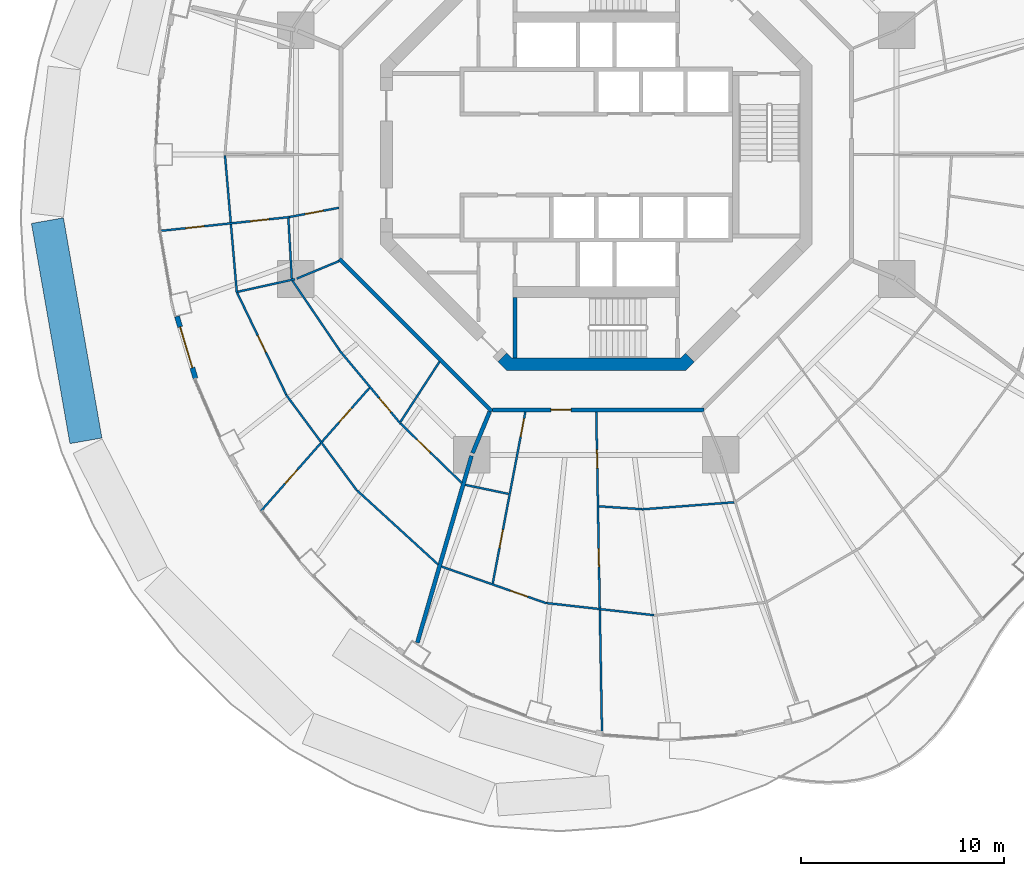
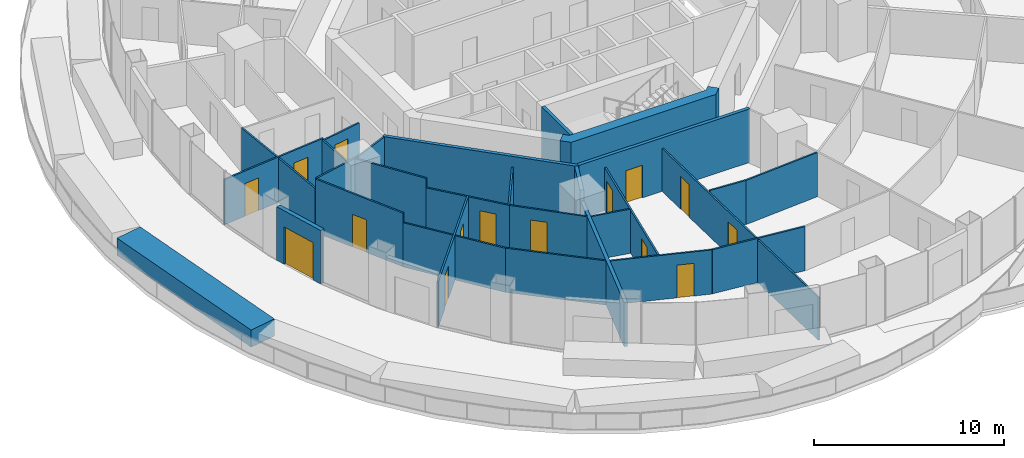
# One storey, part 12 of 20: 29 walls, 15 doors, 15 openings.
"""IFC4 building model written with IfcOpenShell, lengths in metres."""

import ifcopenshell
import ifcopenshell.guid

model = None  # the IFC model being written
_history = None  # IfcOwnerHistory: only IFC2X3 demands one
_inside = {}  # id of a spatial element -> (the spatial element, [elements in it])
_under = {}  # id of a project, library or spatial element -> (it, [spatial elements below it])
_declared = {}  # id of a project -> (the project, [libraries it declares])
_typed = {}  # id of a type object -> (the type object, [elements of that type])
_made_of = {}  # id of a material, layer set ... -> (it, [elements and type objects made of it])


def new_model(schema):
    """Start an empty IFC model of exactly this schema.

    Asked for "IFC4X3", IfcOpenShell would pick the latest addendum, in which some entities
    have other attributes; the version numbers below select the first issue.
    IFC2X3 requires an IfcOwnerHistory on every rooted entity: one is made here for all.
    """
    global model, _history
    if schema == "IFC4X3":
        model = ifcopenshell.file(schema_version=(4, 3, 0, 0))
    else:
        model = ifcopenshell.file(schema=schema)
    _inside.clear()
    _under.clear()
    _declared.clear()
    _typed.clear()
    _made_of.clear()
    _history = None
    if model.schema == "IFC2X3":
        org = make("IfcOrganization", Name="unknown")
        user = make(
            "IfcPersonAndOrganization",
            ThePerson=make("IfcPerson", FamilyName="unknown"),
            TheOrganization=org,
        )
        app = make(
            "IfcApplication",
            ApplicationDeveloper=org,
            Version="unknown",
            ApplicationFullName="unknown",
            ApplicationIdentifier="unknown",
        )
        _history = make(
            "IfcOwnerHistory",
            OwningUser=user,
            OwningApplication=app,
            ChangeAction="ADDED",
            CreationDate=0,
        )
    return model


def make(cls, **values):
    """One entity of the class cls with the attributes given. An attribute that is None is left unset."""
    return model.create_entity(
        cls, **{name: value for name, value in values.items() if value is not None}
    )


def rooted(cls, **values):
    """An entity with a GlobalId (a new one), such as an element, a storey or a relation."""
    return make(cls, GlobalId=ifcopenshell.guid.new(), OwnerHistory=_history, **values)


def si_unit(unit_type, name, prefix=None):
    """IfcSIUnit, for example si_unit("LENGTHUNIT", "METRE", prefix="MILLI")."""
    return make("IfcSIUnit", UnitType=unit_type, Prefix=prefix, Name=name)


def assignment(units):
    """IfcUnitAssignment: the units of a project."""
    return None if units is None else make("IfcUnitAssignment", Units=units)


def point(xyz):
    """IfcCartesianPoint."""
    return None if xyz is None else make("IfcCartesianPoint", Coordinates=xyz)


def direction(xyz):
    """IfcDirection."""
    return None if xyz is None else make("IfcDirection", DirectionRatios=xyz)


def frame(location, z_axis=None, x_axis=None):
    """IfcAxis2Placement3D, a coordinate frame: its origin and axes. An axis left out is left unset."""
    return make(
        "IfcAxis2Placement3D",
        Location=point(location),
        Axis=direction(z_axis),
        RefDirection=direction(x_axis),
    )


def frame_2d(location, x_axis=None):
    """IfcAxis2Placement2D, a coordinate frame in the plane: its origin and x axis."""
    return make(
        "IfcAxis2Placement2D", Location=point(location), RefDirection=direction(x_axis)
    )


def origin():
    """The frame at (0, 0, 0) with its axes left unset."""
    return frame((0.0, 0.0, 0.0))


def place(relative_to, where):
    """IfcLocalPlacement: puts the frame where relative to a parent placement (None: the world)."""
    return make(
        "IfcLocalPlacement", PlacementRelTo=relative_to, RelativePlacement=where
    )


def context(
    kind, dimensions, precision=None, world=None, true_north=None, identifier=None
):
    """IfcGeometricRepresentationContext, for example the 3D "Model" context."""
    return make(
        "IfcGeometricRepresentationContext",
        ContextIdentifier=identifier,
        ContextType=kind,
        CoordinateSpaceDimension=dimensions,
        Precision=precision,
        WorldCoordinateSystem=world,
        TrueNorth=true_north,
    )


def subcontext(parent, identifier, kind, view, scale=None):
    """IfcGeometricRepresentationSubContext, for example "Body" below "Model"."""
    return make(
        "IfcGeometricRepresentationSubContext",
        ContextIdentifier=identifier,
        ContextType=kind,
        ParentContext=parent,
        TargetScale=scale,
        TargetView=view,
    )


def project(units=None, contexts=None):
    """IfcProject with its units and contexts."""
    return rooted(
        "IfcProject",
        Name="project",
        RepresentationContexts=contexts,
        UnitsInContext=assignment(units),
    )


def spatial(cls, under=None, at=None, **own):
    """A site, building, storey or space (cls), placed at a placement, below another one or the project."""
    s = rooted(cls, ObjectPlacement=at, **own)
    if under is not None:
        _under.setdefault(under.id(), (under, []))[1].append(s)
    return s


def polyline(points):
    """IfcPolyline through the points."""
    return make("IfcPolyline", Points=[point(p) for p in points])


def profile(cls, at=None, kind="AREA", **sizes):
    """A parametric profile (cls). Its sizes go by their IFC names, for example OverallWidth=200.0."""
    return make(cls, ProfileType=kind, Position=at, **sizes)


def rectangle(**sizes):
    """IfcRectangleProfileDef."""
    return profile("IfcRectangleProfileDef", **sizes)


def outline(outer, holes=None, kind="AREA"):
    """IfcArbitraryClosedProfileDef: a profile drawn as a closed curve; with holes, ...WithVoids."""
    if holes is None:
        return make("IfcArbitraryClosedProfileDef", ProfileType=kind, OuterCurve=outer)
    return make(
        "IfcArbitraryProfileDefWithVoids",
        ProfileType=kind,
        OuterCurve=outer,
        InnerCurves=holes,
    )


def extrude(swept, where, along, depth):
    """IfcExtrudedAreaSolid: the profile swept, set in the frame where, extruded along a direction by depth."""
    return make(
        "IfcExtrudedAreaSolid",
        SweptArea=swept,
        Position=where,
        ExtrudedDirection=direction(along),
        Depth=depth,
    )


def shape(context_of_items, identifier, shape_type, items):
    """IfcShapeRepresentation: the items that make up one representation, for example the "Body"."""
    return make(
        "IfcShapeRepresentation",
        ContextOfItems=context_of_items,
        RepresentationIdentifier=identifier,
        RepresentationType=shape_type,
        Items=items,
    )


def material(Name=None, Category=None):
    """IfcMaterial."""
    return make("IfcMaterial", Name=Name, Category=Category)


def layer(
    of_material, thickness, ventilated=None, Name=None, Category=None, Priority=None
):
    """IfcMaterialLayer: one layer of a wall or slab, of a material (None: an air gap)."""
    return make(
        "IfcMaterialLayer",
        Material=of_material,
        LayerThickness=thickness,
        IsVentilated=ventilated,
        Name=Name,
        Category=Category,
        Priority=Priority,
    )


def layer_set(layers, Name=None):
    """IfcMaterialLayerSet."""
    return make("IfcMaterialLayerSet", MaterialLayers=layers, LayerSetName=Name)


def made_of(thing, what):
    """Note that an element or type object is made of a material, layer set ...; save() writes the relation."""
    if what is not None:
        _made_of.setdefault(what.id(), (what, []))[1].append(thing)
    return thing


def type_object(cls, material=None, **own):
    """A type object (cls), such as IfcWallType, which elements share."""
    return made_of(rooted(cls, **own), material)


def element(
    cls,
    number,
    at=None,
    inside=None,
    cuts=None,
    type_object=None,
    material=None,
    context=None,
    identifier="Body",
    shape_type=None,
    held_by="IfcProductDefinitionShape",
    body=None,
    shapes=None,
    **own,
):
    """One element of the class cls, such as IfcWall. Its Tag is "e" and its number.

    at: its placement. inside: the storey or other place that contains it. cuts: it is an
    opening in that element (IfcRelVoidsElement). A single representation is given by context,
    identifier, shape_type and body (its items); several are given by shapes. held_by: the class
    of the entity that holds the representations. save() writes the other relations.
    """
    e = rooted(cls, Tag="e%d" % number, ObjectPlacement=at, **own)
    if body is not None:
        shapes = [shape(context, identifier, shape_type, body)]
    if shapes is not None:
        e.Representation = make(held_by, Representations=shapes)
    if inside is not None:
        _inside.setdefault(inside.id(), (inside, []))[1].append(e)
    if cuts is not None:
        rooted(
            "IfcRelVoidsElement", RelatingBuildingElement=cuts, RelatedOpeningElement=e
        )
    if type_object is not None:
        _typed.setdefault(type_object.id(), (type_object, []))[1].append(e)
    return made_of(e, material)


def fill(opening, filler):
    """IfcRelFillsElement: the door or window that sits in an opening."""
    return rooted(
        "IfcRelFillsElement",
        RelatingOpeningElement=opening,
        RelatedBuildingElement=filler,
    )


def aggregate(whole, parts):
    """IfcRelAggregates: a whole, such as a stair, and the parts it consists of."""
    return rooted("IfcRelAggregates", RelatingObject=whole, RelatedObjects=parts)


def save(model, path):
    """Write the relations noted so far, then the file.

    IfcRelAggregates (storeys below a building ...), IfcRelContainedInSpatialStructure (elements
    in a storey), IfcRelDefinesByType, IfcRelAssociatesMaterial and IfcRelDeclares: one each for
    every whole, place, type object, material and project.
    """
    for whole, parts in _under.values():
        aggregate(whole, parts)
    for where, things in _inside.values():
        rooted(
            "IfcRelContainedInSpatialStructure",
            RelatedElements=things,
            RelatingStructure=where,
        )
    for kind, things in _typed.values():
        rooted("IfcRelDefinesByType", RelatedObjects=things, RelatingType=kind)
    for what, things in _made_of.values():
        rooted("IfcRelAssociatesMaterial", RelatedObjects=things, RelatingMaterial=what)
    for by, libraries in _declared.values():
        rooted("IfcRelDeclares", RelatingContext=by, RelatedDefinitions=libraries)
    model.write(path)


model = new_model("IFC4")

# Units and contexts
model_context = context("Model", 3, precision=1e-05, world=origin(), true_north=direction((0.0, 1.0)))
body_context = subcontext(model_context, "Body", "Model", "MODEL_VIEW")
ifc_project = project(units=[si_unit("LENGTHUNIT", "METRE"), si_unit("AREAUNIT", "SQUARE_METRE"), si_unit("VOLUMEUNIT", "CUBIC_METRE"), si_unit("PLANEANGLEUNIT", "RADIAN"), si_unit("MASSUNIT", "GRAM", prefix="KILO")], contexts=[model_context])

# Site, building, storey
site_placement = place(None, origin())
site = spatial("IfcSite", under=ifc_project, at=site_placement, CompositionType="ELEMENT")
building_placement = place(site_placement, origin())
building = spatial("IfcBuilding", under=site, at=building_placement, Name="Nagisa Residences", CompositionType="ELEMENT")
storey_placement = place(building_placement, frame((0.0, 0.0, 165.89990234375)))
storey = spatial("IfcBuildingStorey", under=building, at=storey_placement, Name="L41", CompositionType="ELEMENT", Elevation=165.89990234375)

# Walls
ifc_material_1 = material(Name="Gypsum board on steel studs", Category="steel")
ifc_layer_1 = layer(ifc_material_1, 0.199951171875)
ifc_layer_set_1 = layer_set([ifc_layer_1], Name="Apartment compartment wall EI60 200")
wall_type_1 = type_object("IfcWallType", Name="Apartment compartment wall EI60 200", PredefinedType="PARTITIONING", material=ifc_layer_set_1)
wall_1_placement = place(storey_placement, frame((-5.24267578125, -12.6572265625, 0.0), z_axis=(0.0, 0.0, 1.0), x_axis=(-0.382707856524, -0.923869415315, 0.0)))
element("IfcWall", 1, at=wall_1_placement, inside=storey, type_object=wall_type_1, Name="wall:L41:u04", PredefinedType="PARTITIONING", context=body_context, shape_type="SweptSolid", body=[
    extrude(rectangle(XDim=2.2001953125, YDim=0.199951171875, at=frame_2d((1.10009765625, 0.0))), origin(), (0.0, 0.0, 1.0), 3.440185546875),
])
wall_2_placement = place(storey_placement, frame((-6.136962890625, -14.830078125, 0.0), z_axis=(0.0, 0.0, 1.0), x_axis=(-0.278461169897, -0.96044748782, 0.0)))
element("IfcWall", 2, at=wall_2_placement, inside=storey, type_object=wall_type_1, Name="wall:L41:u05", PredefinedType="PARTITIONING", context=body_context, shape_type="SweptSolid", body=[
    extrude(rectangle(XDim=9.5732421875, YDim=0.199951171875, at=frame_2d((4.78662109375, 0.0))), origin(), (0.0, 0.0, 1.0), 2.837158203125),
])
ifc_material_2 = material(Name="Gypsum board on steel studs", Category="steel")
ifc_layer_2 = layer(ifc_material_2, 0.199951171875)
ifc_layer_set_2 = layer_set([ifc_layer_2], Name="Apartment entry wall EI60 200")
wall_type_2 = type_object("IfcWallType", Name="Apartment entry wall EI60 200", PredefinedType="PARTITIONING", material=ifc_layer_set_2)
wall_3_placement = place(storey_placement, frame((-12.635498046875, -5.1337890625, 0.0), z_axis=(0.0, 0.0, 1.0), x_axis=(0.707106781187, -0.707106781187, 0.0)))
element("IfcWall", 3, at=wall_3_placement, inside=storey, type_object=wall_type_2, Name="wall:L41:u13", PredefinedType="PARTITIONING", context=body_context, shape_type="SweptSolid", body=[
    extrude(rectangle(XDim=10.609130859375, YDim=0.199951171875, at=frame_2d((5.3046875, 0.0))), origin(), (0.0, 0.0, 1.0), 3.440185546875),
])

# Wall, opening, door
wall_4_placement = place(storey_placement, frame((-5.1044921875, -12.564697265625, 0.0), z_axis=(0.0, 0.0, 1.0), x_axis=(1.0, 0.0, 0.0)))
wall_4 = element("IfcWall", 4, at=wall_4_placement, inside=storey, type_object=wall_type_2, Name="wall:L41:u14", PredefinedType="PARTITIONING", context=body_context, shape_type="SweptSolid", body=[
    extrude(rectangle(XDim=10.408935546875, YDim=0.199951171875, at=frame_2d((5.20458984375, 0.0))), origin(), (0.0, 0.0, 1.0), 3.440185546875),
])
opening_1_placement = place(wall_4_placement, frame((2.86962890625, 0.0, 0.0)))
opening_1 = element("IfcOpeningElement", 5, at=opening_1_placement, cuts=wall_4, Name="Opening L41-U40", PredefinedType="OPENING", context=body_context, shape_type="SweptSolid", body=[
    extrude(rectangle(XDim=1.0, YDim=2.10009765625, at=frame_2d((0.5, 1.050048828125))), frame((0.0, 0.10986328125, 0.0), z_axis=(0.0, -1.0, 0.0), x_axis=(1.0, 0.0, 0.0)), (0.0, 0.0, 1.0), 0.219970703125),
])
ifc_material_3 = material(Name="Timber fire door set", Category="wood")
door_type_1 = type_object("IfcDoorType", Name="Apartment entry door FD30S 1000x2100", OperationType="NOTDEFINED", PredefinedType="DOOR", material=ifc_material_3)
door_1_placement = place(opening_1_placement, frame((1.0, 0.0, 0.0), x_axis=(-1.0, 0.0, 0.0)))
door_1 = element("IfcDoor", 6, at=door_1_placement, inside=storey, type_object=door_type_1, Name="Entry door, Apartment 41D", OperationType="SINGLE_SWING_LEFT", OverallHeight=2.10009765625, OverallWidth=1.0, PredefinedType="DOOR", context=body_context, shape_type="SweptSolid", body=[
    extrude(rectangle(XDim=1.0, YDim=2.10009765625, at=frame_2d((0.5, 1.050048828125))), frame((0.0, 0.02490234375, 0.0), z_axis=(0.0, -1.0, 0.0), x_axis=(1.0, 0.0, 0.0)), (0.0, 0.0, 1.0), 0.050048828125),
])
fill(opening_1, door_1)

# Wall
ifc_material_4 = material(Name="Gypsum board on steel studs", Category="steel")
ifc_layer_3 = layer(ifc_material_4, 0.10009765625)
ifc_layer_set_3 = layer_set([ifc_layer_3], Name="Apartment partition 100")
wall_type_3 = type_object("IfcWallType", Name="Apartment partition 100", PredefinedType="PARTITIONING", material=ifc_layer_set_3)
wall_5_placement = place(storey_placement, frame((-18.270751953125, -0.0498046875, 0.0), z_axis=(0.0, 0.0, 1.0), x_axis=(0.086018199227, -0.996293565874, 0.0)))
element("IfcWall", 7, at=wall_5_placement, inside=storey, type_object=wall_type_3, Name="wall:L41:u56", PredefinedType="PARTITIONING", context=body_context, shape_type="SweptSolid", body=[
    extrude(rectangle(XDim=6.7890625, YDim=0.10009765625, at=frame_2d((3.39453125, 0.0))), origin(), (0.0, 0.0, 1.0), 2.837158203125),
])

# Wall, opening, door
wall_6_placement = place(storey_placement, frame((-12.6630859375, -2.62060546875, 0.0), z_axis=(0.0, 0.0, 1.0), x_axis=(-0.983176884312, -0.182655999505, 0.0)))
wall_6 = element("IfcWall", 8, at=wall_6_placement, inside=storey, type_object=wall_type_3, Name="wall:L41:u57", PredefinedType="PARTITIONING", context=body_context, shape_type="SweptSolid", body=[
    extrude(rectangle(XDim=2.4833984375, YDim=0.10009765625, at=frame_2d((1.24169921875, 0.0))), origin(), (0.0, 0.0, 1.0), 2.756103515625),
])
opening_2_placement = place(wall_6_placement, frame((0.791748046875, 0.0, 0.0)))
opening_2 = element("IfcOpeningElement", 9, at=opening_2_placement, cuts=wall_6, Name="Opening L41-U30", PredefinedType="OPENING", context=body_context, shape_type="SweptSolid", body=[
    extrude(rectangle(XDim=0.89990234375, YDim=2.10009765625, at=frame_2d((0.449951171875, 1.050048828125))), frame((0.0, 0.06005859375, 0.0), z_axis=(0.0, -1.0, 0.0), x_axis=(1.0, 0.0, 0.0)), (0.0, 0.0, 1.0), 0.1201171875),
])
ifc_material_5 = material(Name="Timber door set", Category="wood")
door_type_2 = type_object("IfcDoorType", Name="Apartment door 900x2100", OperationType="NOTDEFINED", PredefinedType="DOOR", material=ifc_material_5)
door_2_placement = place(opening_2_placement, origin())
door_2 = element("IfcDoor", 10, at=door_2_placement, inside=storey, type_object=door_type_2, Name="Door to family bathroom, Apartment 41C", OperationType="SINGLE_SWING_RIGHT", OverallHeight=2.10009765625, OverallWidth=0.89990234375, PredefinedType="DOOR", context=body_context, shape_type="SweptSolid", body=[
    extrude(rectangle(XDim=0.89990234375, YDim=2.10009765625, at=frame_2d((0.449951171875, 1.050048828125))), frame((0.0, 0.02490234375, 0.0), z_axis=(0.0, -1.0, 0.0), x_axis=(1.0, 0.0, 0.0)), (0.0, 0.0, 1.0), 0.050048828125),
])
fill(opening_2, door_2)

# Wall, openings, doors
wall_7_placement = place(storey_placement, frame((-15.104248046875, -3.077880859375, 0.0), z_axis=(0.0, 0.0, 1.0), x_axis=(-0.994316167803, -0.106467640365, 0.0)))
wall_7 = element("IfcWall", 11, at=wall_7_placement, inside=storey, type_object=wall_type_3, Name="wall:L41:u58", PredefinedType="PARTITIONING", context=body_context, shape_type="SweptSolid", body=[
    extrude(rectangle(XDim=6.450439453125, YDim=0.10009765625, at=frame_2d((3.22509765625, 0.0))), origin(), (0.0, 0.0, 1.0), 2.905029296875),
])
opening_3_placement = place(wall_7_placement, frame((1.0224609375, 0.0, 0.0)))
opening_3 = element("IfcOpeningElement", 12, at=opening_3_placement, cuts=wall_7, Name="Opening L41-U32", PredefinedType="OPENING", context=body_context, shape_type="SweptSolid", body=[
    extrude(rectangle(XDim=0.89990234375, YDim=2.10009765625, at=frame_2d((0.449951171875, 1.050048828125))), frame((0.0, 0.06005859375, 0.0), z_axis=(0.0, -1.0, 0.0), x_axis=(1.0, 0.0, 0.0)), (0.0, 0.0, 1.0), 0.1201171875),
])
opening_4_placement = place(wall_7_placement, frame((4.222900390625, 0.0, 0.0)))
opening_4 = element("IfcOpeningElement", 13, at=opening_4_placement, cuts=wall_7, Name="Opening L41-U34", PredefinedType="OPENING", context=body_context, shape_type="SweptSolid", body=[
    extrude(rectangle(XDim=0.89990234375, YDim=2.10009765625, at=frame_2d((0.449951171875, 1.050048828125))), frame((0.0, 0.06005859375, 0.0), z_axis=(0.0, -1.0, 0.0), x_axis=(1.0, 0.0, 0.0)), (0.0, 0.0, 1.0), 0.1201171875),
])
door_3_placement = place(opening_3_placement, origin())
door_3 = element("IfcDoor", 14, at=door_3_placement, inside=storey, type_object=door_type_2, Name="Door to family bathroom, Apartment 41C", OperationType="SINGLE_SWING_RIGHT", OverallHeight=2.10009765625, OverallWidth=0.89990234375, PredefinedType="DOOR", context=body_context, shape_type="SweptSolid", body=[
    extrude(rectangle(XDim=0.89990234375, YDim=2.10009765625, at=frame_2d((0.449951171875, 1.050048828125))), frame((0.0, 0.02490234375, 0.0), z_axis=(0.0, -1.0, 0.0), x_axis=(1.0, 0.0, 0.0)), (0.0, 0.0, 1.0), 0.050048828125),
])
fill(opening_3, door_3)
door_4_placement = place(opening_4_placement, origin())
door_4 = element("IfcDoor", 15, at=door_4_placement, inside=storey, type_object=door_type_2, Name="Door to living room, Apartment 41C", OperationType="SINGLE_SWING_RIGHT", OverallHeight=2.10009765625, OverallWidth=0.89990234375, PredefinedType="DOOR", context=body_context, shape_type="SweptSolid", body=[
    extrude(rectangle(XDim=0.89990234375, YDim=2.10009765625, at=frame_2d((0.449951171875, 1.050048828125))), frame((0.0, 0.02490234375, 0.0), z_axis=(0.0, -1.0, 0.0), x_axis=(1.0, 0.0, 0.0)), (0.0, 0.0, 1.0), 0.050048828125),
])
fill(opening_4, door_4)

# Walls
wall_8_placement = place(storey_placement, frame((-15.151123046875, -3.13330078125, 0.0), z_axis=(0.0, 0.0, 1.0), x_axis=(0.05637501378, -0.998409664327, 0.0)))
element("IfcWall", 16, at=wall_8_placement, inside=storey, type_object=wall_type_3, Name="wall:L41:u59", PredefinedType="PARTITIONING", context=body_context, shape_type="SweptSolid", body=[
    extrude(rectangle(XDim=2.988037109375, YDim=0.10009765625, at=frame_2d((1.494140625, 0.0))), origin(), (0.0, 0.0, 1.0), 2.837158203125),
])
wall_9_placement = place(storey_placement, frame((-12.6572265625, -5.24267578125, 0.0), z_axis=(0.0, 0.0, 1.0), x_axis=(-0.923848837015, -0.382757529444, 0.0)))
element("IfcWall", 17, at=wall_9_placement, inside=storey, type_object=wall_type_3, Name="wall:L41:u60", PredefinedType="PARTITIONING", context=body_context, shape_type="SweptSolid", body=[
    extrude(rectangle(XDim=2.249755859375, YDim=0.10009765625, at=frame_2d((1.125, 0.0))), origin(), (0.0, 0.0, 1.0), 3.440185546875),
])
wall_10_placement = place(storey_placement, frame((-14.830810546875, -6.133544921875, 0.0), z_axis=(0.0, 0.0, 1.0), x_axis=(-0.976560749847, -0.215241961191, 0.0)))
element("IfcWall", 18, at=wall_10_placement, inside=storey, type_object=wall_type_3, Name="wall:L41:u61", PredefinedType="PARTITIONING", context=body_context, shape_type="SweptSolid", body=[
    extrude(rectangle(XDim=2.878662109375, YDim=0.10009765625, at=frame_2d((1.439453125, 0.0))), origin(), (0.0, 0.0, 1.0), 3.440185546875),
])
wall_11_placement = place(storey_placement, frame((-14.951904296875, -6.2080078125, 0.0), z_axis=(0.0, 0.0, 1.0), x_axis=(0.561064907171, -0.827771810308, 0.0)))
element("IfcWall", 19, at=wall_11_placement, inside=storey, type_object=wall_type_3, Name="wall:L41:u62", PredefinedType="PARTITIONING", context=body_context, shape_type="SweptSolid", body=[
    extrude(rectangle(XDim=4.15869140625, YDim=0.10009765625, at=frame_2d((2.079345703125, 0.0))), origin(), (0.0, 0.0, 1.0), 3.440185546875),
])

# Wall, opening, door
wall_12_placement = place(storey_placement, frame((-17.669189453125, -6.80908203125, 0.0), z_axis=(0.0, 0.0, 1.0), x_axis=(0.434040130629, -0.900893536997, 0.0)))
wall_12 = element("IfcWall", 20, at=wall_12_placement, inside=storey, type_object=wall_type_3, Name="wall:L41:u63", PredefinedType="PARTITIONING", context=body_context, shape_type="SweptSolid", body=[
    extrude(rectangle(XDim=5.557861328125, YDim=0.10009765625, at=frame_2d((2.77880859375, 0.0))), origin(), (0.0, 0.0, 1.0), 3.440185546875),
])
opening_5_placement = place(wall_12_placement, frame((2.3291015625, 0.0, 0.0)))
opening_5 = element("IfcOpeningElement", 21, at=opening_5_placement, cuts=wall_12, Name="Opening L41-U36", PredefinedType="OPENING", context=body_context, shape_type="SweptSolid", body=[
    extrude(rectangle(XDim=0.89990234375, YDim=2.10009765625, at=frame_2d((0.449951171875, 1.050048828125))), frame((0.0, 0.06005859375, 0.0), z_axis=(0.0, -1.0, 0.0), x_axis=(1.0, 0.0, 0.0)), (0.0, 0.0, 1.0), 0.1201171875),
])
door_5_placement = place(opening_5_placement, origin())
door_5 = element("IfcDoor", 22, at=door_5_placement, inside=storey, type_object=door_type_2, Name="Door to study, Apartment 41C", OperationType="SINGLE_SWING_RIGHT", OverallHeight=2.10009765625, OverallWidth=0.89990234375, PredefinedType="DOOR", context=body_context, shape_type="SweptSolid", body=[
    extrude(rectangle(XDim=0.89990234375, YDim=2.10009765625, at=frame_2d((0.449951171875, 1.050048828125))), frame((0.0, 0.02490234375, 0.0), z_axis=(0.0, -1.0, 0.0), x_axis=(1.0, 0.0, 0.0)), (0.0, 0.0, 1.0), 0.050048828125),
])
fill(opening_5, door_5)

wall_13_placement = place(storey_placement, frame((-12.62255859375, -9.6533203125, 0.0), z_axis=(0.0, 0.0, 1.0), x_axis=(0.640297481347, -0.768127030758, 0.0)))
wall_13 = element("IfcWall", 23, at=wall_13_placement, inside=storey, type_object=wall_type_3, Name="wall:L41:u64", PredefinedType="PARTITIONING", context=body_context, shape_type="SweptSolid", body=[
    extrude(rectangle(XDim=4.671630859375, YDim=0.10009765625, at=frame_2d((2.3359375, 0.0))), origin(), (0.0, 0.0, 1.0), 2.837158203125),
])
opening_6_placement = place(wall_13_placement, frame((3.028564453125, 0.0, 0.0)))
opening_6 = element("IfcOpeningElement", 24, at=opening_6_placement, cuts=wall_13, Name="Opening L41-U38", PredefinedType="OPENING", context=body_context, shape_type="SweptSolid", body=[
    extrude(rectangle(XDim=0.89990234375, YDim=2.10009765625, at=frame_2d((0.449951171875, 1.050048828125))), frame((0.0, 0.06005859375, 0.0), z_axis=(0.0, -1.0, 0.0), x_axis=(1.0, 0.0, 0.0)), (0.0, 0.0, 1.0), 0.1201171875),
])
door_6_placement = place(opening_6_placement, origin())
door_6 = element("IfcDoor", 25, at=door_6_placement, inside=storey, type_object=door_type_2, Name="Door to store, Apartment 41C", OperationType="SINGLE_SWING_RIGHT", OverallHeight=2.10009765625, OverallWidth=0.89990234375, PredefinedType="DOOR", context=body_context, shape_type="SweptSolid", body=[
    extrude(rectangle(XDim=0.89990234375, YDim=2.10009765625, at=frame_2d((0.449951171875, 1.050048828125))), frame((0.0, 0.02490234375, 0.0), z_axis=(0.0, -1.0, 0.0), x_axis=(1.0, 0.0, 0.0)), (0.0, 0.0, 1.0), 0.050048828125),
])
fill(opening_6, door_6)

# Wall
wall_14_placement = place(storey_placement, frame((-15.264892578125, -11.821044921875, 0.0), z_axis=(0.0, 0.0, 1.0), x_axis=(0.594711348772, -0.803939308432, 0.0)))
element("IfcWall", 26, at=wall_14_placement, inside=storey, type_object=wall_type_3, Name="wall:L41:u65", PredefinedType="PARTITIONING", context=body_context, shape_type="SweptSolid", body=[
    extrude(rectangle(XDim=5.87158203125, YDim=0.10009765625, at=frame_2d((2.935791015625, 0.0))), origin(), (0.0, 0.0, 1.0), 2.837158203125),
])

# Wall, openings, doors
wall_15_placement = place(storey_placement, frame((-11.16015625, -11.485107421875, 0.0), z_axis=(0.0, 0.0, 1.0), x_axis=(-0.661275898802, -0.750142776852, 0.0)))
wall_15 = element("IfcWall", 27, at=wall_15_placement, inside=storey, type_object=wall_type_3, Name="wall:L41:u66", PredefinedType="PARTITIONING", context=body_context, shape_type="SweptSolid", body=[
    extrude(rectangle(XDim=8.08251953125, YDim=0.10009765625, at=frame_2d((4.041259765625, 0.0))), origin(), (0.0, 0.0, 1.0), 2.905029296875),
])
opening_7_placement = place(wall_15_placement, frame((5.38232421875, 0.0, 0.0)))
opening_7 = element("IfcOpeningElement", 28, at=opening_7_placement, cuts=wall_15, Name="Opening L41-U35", PredefinedType="OPENING", context=body_context, shape_type="SweptSolid", body=[
    extrude(rectangle(XDim=0.89990234375, YDim=2.10009765625, at=frame_2d((0.449951171875, 1.050048828125))), frame((0.0, 0.06005859375, 0.0), z_axis=(0.0, -1.0, 0.0), x_axis=(1.0, 0.0, 0.0)), (0.0, 0.0, 1.0), 0.1201171875),
])
opening_8_placement = place(wall_15_placement, frame((1.34130859375, 0.0, 0.0)))
opening_8 = element("IfcOpeningElement", 29, at=opening_8_placement, cuts=wall_15, Name="Opening L41-U37", PredefinedType="OPENING", context=body_context, shape_type="SweptSolid", body=[
    extrude(rectangle(XDim=0.89990234375, YDim=2.10009765625, at=frame_2d((0.449951171875, 1.050048828125))), frame((0.0, 0.06005859375, 0.0), z_axis=(0.0, -1.0, 0.0), x_axis=(1.0, 0.0, 0.0)), (0.0, 0.0, 1.0), 0.1201171875),
])
door_7_placement = place(opening_7_placement, origin())
door_7 = element("IfcDoor", 30, at=door_7_placement, inside=storey, type_object=door_type_2, Name="Door to master bedroom, Apartment 41C", OperationType="SINGLE_SWING_LEFT", OverallHeight=2.10009765625, OverallWidth=0.89990234375, PredefinedType="DOOR", context=body_context, shape_type="SweptSolid", body=[
    extrude(rectangle(XDim=0.89990234375, YDim=2.10009765625, at=frame_2d((0.449951171875, 1.050048828125))), frame((0.0, 0.02490234375, 0.0), z_axis=(0.0, -1.0, 0.0), x_axis=(1.0, 0.0, 0.0)), (0.0, 0.0, 1.0), 0.050048828125),
])
fill(opening_7, door_7)
door_8_placement = place(opening_8_placement, origin())
door_8 = element("IfcDoor", 31, at=door_8_placement, inside=storey, type_object=door_type_2, Name="Door to kitchen, Apartment 41C", OperationType="SINGLE_SWING_LEFT", OverallHeight=2.10009765625, OverallWidth=0.89990234375, PredefinedType="DOOR", context=body_context, shape_type="SweptSolid", body=[
    extrude(rectangle(XDim=0.89990234375, YDim=2.10009765625, at=frame_2d((0.449951171875, 1.050048828125))), frame((0.0, 0.02490234375, 0.0), z_axis=(0.0, -1.0, 0.0), x_axis=(1.0, 0.0, 0.0)), (0.0, 0.0, 1.0), 0.050048828125),
])
fill(opening_8, door_8)

# Wall
wall_16_placement = place(storey_placement, frame((-7.71240234375, -10.1953125, 0.0), z_axis=(0.0, 0.0, 1.0), x_axis=(-0.544170086001, -0.838974920663, 0.0)))
element("IfcWall", 32, at=wall_16_placement, inside=storey, type_object=wall_type_3, Name="wall:L41:u67", PredefinedType="PARTITIONING", context=body_context, shape_type="SweptSolid", body=[
    extrude(rectangle(XDim=3.535400390625, YDim=0.10009765625, at=frame_2d((1.767578125, 0.0))), origin(), (0.0, 0.0, 1.0), 2.756103515625),
])

# Wall, opening, door
wall_17_placement = place(storey_placement, frame((-9.62744140625, -13.238037109375, 0.0), z_axis=(0.0, 0.0, 1.0), x_axis=(0.716919058692, -0.697156412352, 0.0)))
wall_17 = element("IfcWall", 33, at=wall_17_placement, inside=storey, type_object=wall_type_3, Name="wall:L41:u68", PredefinedType="PARTITIONING", context=body_context, shape_type="SweptSolid", body=[
    extrude(rectangle(XDim=4.2001953125, YDim=0.10009765625, at=frame_2d((2.10009765625, 0.0))), origin(), (0.0, 0.0, 1.0), 2.837158203125),
])
opening_9_placement = place(wall_17_placement, frame((1.130126953125, 0.0, 0.0)))
opening_9 = element("IfcOpeningElement", 34, at=opening_9_placement, cuts=wall_17, Name="Opening L41-U39", PredefinedType="OPENING", context=body_context, shape_type="SweptSolid", body=[
    extrude(rectangle(XDim=0.89990234375, YDim=2.10009765625, at=frame_2d((0.449951171875, 1.050048828125))), frame((0.0, 0.06005859375, 0.0), z_axis=(0.0, -1.0, 0.0), x_axis=(1.0, 0.0, 0.0)), (0.0, 0.0, 1.0), 0.1201171875),
])
door_9_placement = place(opening_9_placement, origin())
door_9 = element("IfcDoor", 35, at=door_9_placement, inside=storey, type_object=door_type_2, Name="Door to laundry, Apartment 41C", OperationType="SINGLE_SWING_LEFT", OverallHeight=2.10009765625, OverallWidth=0.89990234375, PredefinedType="DOOR", context=body_context, shape_type="SweptSolid", body=[
    extrude(rectangle(XDim=0.89990234375, YDim=2.10009765625, at=frame_2d((0.449951171875, 1.050048828125))), frame((0.0, 0.02490234375, 0.0), z_axis=(0.0, -1.0, 0.0), x_axis=(1.0, 0.0, 0.0)), (0.0, 0.0, 1.0), 0.050048828125),
])
fill(opening_9, door_9)

# Walls
wall_18_placement = place(storey_placement, frame((-11.765625, -16.534912109375, 0.0), z_axis=(0.0, 0.0, 1.0), x_axis=(0.73807320557, -0.674720640872, 0.0)))
element("IfcWall", 36, at=wall_18_placement, inside=storey, type_object=wall_type_3, Name="wall:L41:u69", PredefinedType="PARTITIONING", context=body_context, shape_type="SweptSolid", body=[
    extrude(rectangle(XDim=5.39892578125, YDim=0.10009765625, at=frame_2d((2.699462890625, 0.0))), origin(), (0.0, 0.0, 1.0), 2.837158203125),
])
wall_19_placement = place(storey_placement, frame((-6.446533203125, -16.25634765625, 0.0), z_axis=(0.0, 0.0, 1.0), x_axis=(0.978909151576, -0.204296042448, 0.0)))
element("IfcWall", 37, at=wall_19_placement, inside=storey, type_object=wall_type_3, Name="wall:L41:u70", PredefinedType="PARTITIONING", context=body_context, shape_type="SweptSolid", body=[
    extrude(rectangle(XDim=2.167724609375, YDim=0.10009765625, at=frame_2d((1.083984375, 0.0))), origin(), (0.0, 0.0, 1.0), 2.837158203125),
])

# Wall, opening, door
wall_20_placement = place(storey_placement, frame((-7.612548828125, -20.2783203125, 0.0), z_axis=(0.0, 0.0, 1.0), x_axis=(0.943918212431, -0.330179357684, 0.0)))
wall_20 = element("IfcWall", 38, at=wall_20_placement, inside=storey, type_object=wall_type_3, Name="wall:L41:u71", PredefinedType="PARTITIONING", context=body_context, shape_type="SweptSolid", body=[
    extrude(rectangle(XDim=5.46728515625, YDim=0.10009765625, at=frame_2d((2.733642578125, 0.0))), origin(), (0.0, 0.0, 1.0), 2.837158203125),
])
opening_10_placement = place(wall_20_placement, frame((3.587890625, 0.0, 0.0)))
opening_10 = element("IfcOpeningElement", 39, at=opening_10_placement, cuts=wall_20, Name="Opening L41-U49", PredefinedType="OPENING", context=body_context, shape_type="SweptSolid", body=[
    extrude(rectangle(XDim=0.89990234375, YDim=2.10009765625, at=frame_2d((0.449951171875, 1.050048828125))), frame((0.0, 0.06005859375, 0.0), z_axis=(0.0, -1.0, 0.0), x_axis=(1.0, 0.0, 0.0)), (0.0, 0.0, 1.0), 0.1201171875),
])
door_10_placement = place(opening_10_placement, frame((0.89990234375, 0.0, 0.0), x_axis=(-1.0, 0.0, 0.0)))
door_10 = element("IfcDoor", 40, at=door_10_placement, inside=storey, type_object=door_type_2, Name="Door to master bedroom, Apartment 41D", OperationType="SINGLE_SWING_RIGHT", OverallHeight=2.10009765625, OverallWidth=0.89990234375, PredefinedType="DOOR", context=body_context, shape_type="SweptSolid", body=[
    extrude(rectangle(XDim=0.89990234375, YDim=2.10009765625, at=frame_2d((0.449951171875, 1.050048828125))), frame((0.0, 0.02490234375, 0.0), z_axis=(0.0, -1.0, 0.0), x_axis=(1.0, 0.0, 0.0)), (0.0, 0.0, 1.0), 0.050048828125),
])
fill(opening_10, door_10)

# Wall, openings, doors
wall_21_placement = place(storey_placement, frame((-3.48828125, -12.6630859375, 0.0), z_axis=(0.0, 0.0, 1.0), x_axis=(-0.186783185485, -0.982401161247, 0.0)))
wall_21 = element("IfcWall", 41, at=wall_21_placement, inside=storey, type_object=wall_type_3, Name="wall:L41:u72", PredefinedType="PARTITIONING", context=body_context, shape_type="SweptSolid", body=[
    extrude(rectangle(XDim=8.595458984375, YDim=0.10009765625, at=frame_2d((4.2978515625, 0.0))), origin(), (0.0, 0.0, 1.0), 2.756103515625),
])
opening_11_placement = place(wall_21_placement, frame((0.35009765625, 0.0, 0.0)))
opening_11 = element("IfcOpeningElement", 42, at=opening_11_placement, cuts=wall_21, Name="Opening L41-U41", PredefinedType="OPENING", context=body_context, shape_type="SweptSolid", body=[
    extrude(rectangle(XDim=0.89990234375, YDim=2.10009765625, at=frame_2d((0.449951171875, 1.050048828125))), frame((0.0, 0.06005859375, 0.0), z_axis=(0.0, -1.0, 0.0), x_axis=(1.0, 0.0, 0.0)), (0.0, 0.0, 1.0), 0.1201171875),
])
opening_12_placement = place(wall_21_placement, frame((5.908447265625, 0.0, 0.0)))
opening_12 = element("IfcOpeningElement", 43, at=opening_12_placement, cuts=wall_21, Name="Opening L41-U45", PredefinedType="OPENING", context=body_context, shape_type="SweptSolid", body=[
    extrude(rectangle(XDim=0.89990234375, YDim=2.10009765625, at=frame_2d((0.449951171875, 1.050048828125))), frame((0.0, 0.06005859375, 0.0), z_axis=(0.0, -1.0, 0.0), x_axis=(1.0, 0.0, 0.0)), (0.0, 0.0, 1.0), 0.1201171875),
])
door_11_placement = place(opening_11_placement, frame((0.89990234375, 0.0, 0.0), x_axis=(-1.0, 0.0, 0.0)))
door_11 = element("IfcDoor", 44, at=door_11_placement, inside=storey, type_object=door_type_2, Name="Door to family bathroom, Apartment 41D", OperationType="SINGLE_SWING_RIGHT", OverallHeight=2.10009765625, OverallWidth=0.89990234375, PredefinedType="DOOR", context=body_context, shape_type="SweptSolid", body=[
    extrude(rectangle(XDim=0.89990234375, YDim=2.10009765625, at=frame_2d((0.449951171875, 1.050048828125))), frame((0.0, 0.02490234375, 0.0), z_axis=(0.0, -1.0, 0.0), x_axis=(1.0, 0.0, 0.0)), (0.0, 0.0, 1.0), 0.050048828125),
])
fill(opening_11, door_11)
door_12_placement = place(opening_12_placement, frame((0.89990234375, 0.0, 0.0), x_axis=(-1.0, 0.0, 0.0)))
door_12 = element("IfcDoor", 45, at=door_12_placement, inside=storey, type_object=door_type_2, Name="Door to family bathroom, Apartment 41D", OperationType="SINGLE_SWING_RIGHT", OverallHeight=2.10009765625, OverallWidth=0.89990234375, PredefinedType="DOOR", context=body_context, shape_type="SweptSolid", body=[
    extrude(rectangle(XDim=0.89990234375, YDim=2.10009765625, at=frame_2d((0.449951171875, 1.050048828125))), frame((0.0, 0.02490234375, 0.0), z_axis=(0.0, -1.0, 0.0), x_axis=(1.0, 0.0, 0.0)), (0.0, 0.0, 1.0), 0.050048828125),
])
fill(opening_12, door_12)

# Wall
wall_22_placement = place(storey_placement, frame((-2.449462890625, -22.07275390625, 0.0), z_axis=(0.0, 0.0, 1.0), x_axis=(0.993660315081, -0.112424099879, 0.0)))
element("IfcWall", 46, at=wall_22_placement, inside=storey, type_object=wall_type_3, Name="wall:L41:u73", PredefinedType="PARTITIONING", context=body_context, shape_type="SweptSolid", body=[
    extrude(rectangle(XDim=5.32470703125, YDim=0.10009765625, at=frame_2d((2.662353515625, 0.0))), origin(), (0.0, 0.0, 1.0), 2.837158203125),
])

# Wall, openings, doors
wall_23_placement = place(storey_placement, frame((0.001708984375, -12.664794921875, 0.0), z_axis=(0.0, 0.0, 1.0), x_axis=(0.01792079652, -0.999839409631, 0.0)))
wall_23 = element("IfcWall", 47, at=wall_23_placement, inside=storey, type_object=wall_type_3, Name="wall:L41:u74", PredefinedType="PARTITIONING", context=body_context, shape_type="SweptSolid", body=[
    extrude(rectangle(XDim=15.925537109375, YDim=0.10009765625, at=frame_2d((7.962890625, 0.0))), origin(), (0.0, 0.0, 1.0), 2.756103515625),
])
opening_13_placement = place(wall_23_placement, frame((1.873291015625, 0.0, 0.0)))
opening_13 = element("IfcOpeningElement", 48, at=opening_13_placement, cuts=wall_23, Name="Opening L41-U42", PredefinedType="OPENING", context=body_context, shape_type="SweptSolid", body=[
    extrude(rectangle(XDim=0.89990234375, YDim=2.10009765625, at=frame_2d((0.449951171875, 1.050048828125))), frame((0.0, 0.06005859375, 0.0), z_axis=(0.0, -1.0, 0.0), x_axis=(1.0, 0.0, 0.0)), (0.0, 0.0, 1.0), 0.1201171875),
])
opening_14_placement = place(wall_23_placement, frame((6.727783203125, 0.0, 0.0)))
opening_14 = element("IfcOpeningElement", 49, at=opening_14_placement, cuts=wall_23, Name="Opening L41-U46", PredefinedType="OPENING", context=body_context, shape_type="SweptSolid", body=[
    extrude(rectangle(XDim=0.89990234375, YDim=2.10009765625, at=frame_2d((0.449951171875, 1.050048828125))), frame((0.0, 0.06005859375, 0.0), z_axis=(0.0, -1.0, 0.0), x_axis=(1.0, 0.0, 0.0)), (0.0, 0.0, 1.0), 0.1201171875),
])
door_13_placement = place(opening_13_placement, origin())
door_13 = element("IfcDoor", 50, at=door_13_placement, inside=storey, type_object=door_type_2, Name="Door to store, Apartment 41D", OperationType="SINGLE_SWING_RIGHT", OverallHeight=2.10009765625, OverallWidth=0.89990234375, PredefinedType="DOOR", context=body_context, shape_type="SweptSolid", body=[
    extrude(rectangle(XDim=0.89990234375, YDim=2.10009765625, at=frame_2d((0.449951171875, 1.050048828125))), frame((0.0, 0.02490234375, 0.0), z_axis=(0.0, -1.0, 0.0), x_axis=(1.0, 0.0, 0.0)), (0.0, 0.0, 1.0), 0.050048828125),
])
fill(opening_13, door_13)
door_14_placement = place(opening_14_placement, origin())
door_14 = element("IfcDoor", 51, at=door_14_placement, inside=storey, type_object=door_type_2, Name="Door to kitchen, Apartment 41D", OperationType="SINGLE_SWING_RIGHT", OverallHeight=2.10009765625, OverallWidth=0.89990234375, PredefinedType="DOOR", context=body_context, shape_type="SweptSolid", body=[
    extrude(rectangle(XDim=0.89990234375, YDim=2.10009765625, at=frame_2d((0.449951171875, 1.050048828125))), frame((0.0, 0.02490234375, 0.0), z_axis=(0.0, -1.0, 0.0), x_axis=(1.0, 0.0, 0.0)), (0.0, 0.0, 1.0), 0.050048828125),
])
fill(opening_14, door_14)

# Walls
wall_24_placement = place(storey_placement, frame((0.144775390625, -17.313720703125, 0.0), z_axis=(0.0, 0.0, 1.0), x_axis=(0.997756833447, -0.06694252243, 0.0)))
element("IfcWall", 52, at=wall_24_placement, inside=storey, type_object=wall_type_3, Name="wall:L41:u75", PredefinedType="PARTITIONING", context=body_context, shape_type="SweptSolid", body=[
    extrude(rectangle(XDim=2.104248046875, YDim=0.10009765625, at=frame_2d((1.05224609375, 0.0))), origin(), (0.0, 0.0, 1.0), 2.837158203125),
])
wall_25_placement = place(storey_placement, frame((2.24462890625, -17.461669921875, 0.0), z_axis=(0.0, 0.0, 1.0), x_axis=(0.997077117727, 0.07640171009, 0.0)))
element("IfcWall", 53, at=wall_25_placement, inside=storey, type_object=wall_type_3, Name="wall:L41:u76", PredefinedType="PARTITIONING", context=body_context, shape_type="SweptSolid", body=[
    extrude(rectangle(XDim=4.56005859375, YDim=0.10009765625, at=frame_2d((2.280029296875, 0.0))), origin(), (0.0, 0.0, 1.0), 2.837158203125),
])

# Wall, opening, door
ifc_material_6 = material(Name="Precast concrete C40/50", Category="concrete")
ifc_layer_4 = layer(ifc_material_6, 0.25)
ifc_layer_set_4 = layer_set([ifc_layer_4], Name="BALCONY DOOR WALL 250")
wall_type_4 = type_object("IfcWallType", Name="BALCONY DOOR WALL 250", PredefinedType="SOLIDWALL", material=ifc_layer_set_4)
wall_26_placement = place(storey_placement, frame((-19.7236328125, -11.01416015625, 0.0), z_axis=(0.0, 0.0, 1.0), x_axis=(-0.28584838049, 0.958274857946, 0.0)))
wall_26 = element("IfcWall", 54, at=wall_26_placement, inside=storey, type_object=wall_type_4, Name="wall:L41:bay26", PredefinedType="SOLIDWALL", context=body_context, shape_type="SweptSolid", body=[
    extrude(rectangle(XDim=3.182373046875, YDim=0.25, at=frame_2d((1.59130859375, 0.0))), origin(), (0.0, 0.0, 1.0), 3.440185546875),
])
opening_15_placement = place(wall_26_placement, frame((0.541259765625, 0.0, 0.0)))
opening_15 = element("IfcOpeningElement", 55, at=opening_15_placement, cuts=wall_26, Name="Opening BD-L41-09", PredefinedType="OPENING", context=body_context, shape_type="SweptSolid", body=[
    extrude(rectangle(XDim=2.10009765625, YDim=2.39990234375, at=frame_2d((1.050048828125, 1.199951171875))), frame((0.0, 0.135009765625, 0.0), z_axis=(0.0, -1.0, 0.0), x_axis=(1.0, 0.0, 0.0)), (0.0, 0.0, 1.0), 0.27001953125),
])
ifc_material_7 = material(Name="Aluminium and clear glass", Category="aluminium")
door_type_3 = type_object("IfcDoorType", Name="BALCONY SLIDING DOOR 2100x2400", OperationType="SLIDING_TO_LEFT", PredefinedType="DOOR", material=ifc_material_7)
door_15_placement = place(opening_15_placement, origin())
door_15 = element("IfcDoor", 56, at=door_15_placement, inside=storey, type_object=door_type_3, Name="door:L41:bay26", OperationType="SLIDING_TO_LEFT", OverallHeight=2.39990234375, OverallWidth=2.10009765625, PredefinedType="DOOR", context=body_context, shape_type="SweptSolid", body=[
    extrude(rectangle(XDim=2.10009765625, YDim=2.39990234375, at=frame_2d((1.050048828125, 1.199951171875))), frame((0.0, 0.02490234375, 0.0), z_axis=(0.0, -1.0, 0.0), x_axis=(1.0, 0.0, 0.0)), (0.0, 0.0, 1.0), 0.050048828125),
])
fill(opening_15, door_15)

# Walls
ifc_material_8 = material(Name="Concrete C60", Category="concrete")
ifc_layer_5 = layer(ifc_material_8, 0.60009765625)
ifc_layer_set_5 = layer_set([ifc_layer_5], Name="Core shear wall 600")
wall_type_5 = type_object("IfcWallType", Name="Core shear wall 600", PredefinedType="SHEAR", material=ifc_layer_set_5)
wall_27_placement = place(storey_placement, origin())
element("IfcWall", 57, at=wall_27_placement, inside=storey, type_object=wall_type_5, Name="wall:L41:core:flat6", PredefinedType="SHEAR", context=body_context, shape_type="SweptSolid", body=[
    extrude(outline(polyline([(-4.15234375, -10.024658203125), (4.15234375, -10.024658203125), (4.40087890625, -9.776123046875), (4.8251953125, -10.200439453125), (4.40087890625, -10.62451171875), (-4.40087890625, -10.62451171875), (-4.8251953125, -10.200439453125), (-4.40087890625, -9.776123046875), (-4.15234375, -10.024658203125)])), origin(), (0.0, 0.0, 1.0), 3.440185546875),
])
ifc_material_9 = material(Name="Precast concrete C30/37", Category="concrete")
ifc_layer_6 = layer(ifc_material_9, 1.60009765625)
ifc_layer_set_6 = layer_set([ifc_layer_6], Name="PLANTER")
wall_type_6 = type_object("IfcWallType", Name="PLANTER", PredefinedType="SOLIDWALL", material=ifc_layer_set_6)
wall_28_placement = place(storey_placement, frame((-25.115478515625, -14.089599609375, 0.0), z_axis=(0.0, 0.0, 1.0), x_axis=(-0.172152099747, 0.985070380507, 0.0)))
element("IfcWall", 58, at=wall_28_placement, inside=storey, type_object=wall_type_6, Name="planter:L41:garden003", PredefinedType="SOLIDWALL", context=body_context, shape_type="SweptSolid", body=[
    extrude(rectangle(XDim=11.002197265625, YDim=1.60009765625, at=frame_2d((5.5009765625, 0.0))), origin(), (0.0, 0.0, 1.0), 1.10009765625),
])
ifc_material_10 = material(Name="Concrete C60", Category="concrete")
ifc_layer_7 = layer(ifc_material_10, 0.199951171875)
ifc_layer_set_7 = layer_set([ifc_layer_7], Name="Stair enclosure wall 200")
wall_type_7 = type_object("IfcWallType", Name="Stair enclosure wall 200", PredefinedType="SOLIDWALL", material=ifc_layer_set_7)
wall_29_placement = place(storey_placement, origin())
element("IfcWall", 59, at=wall_29_placement, inside=storey, type_object=wall_type_7, Name="wall:L41:SS_w", PredefinedType="SOLIDWALL", context=body_context, shape_type="SweptSolid", body=[
    extrude(outline(polyline([(-3.89990234375, -10.024658203125), (-4.10009765625, -10.024658203125), (-4.10009765625, -7.024658203125), (-3.89990234375, -7.024658203125), (-3.89990234375, -10.024658203125)])), origin(), (0.0, 0.0, 1.0), 3.440185546875),
])

save(model, "model.ifc")
